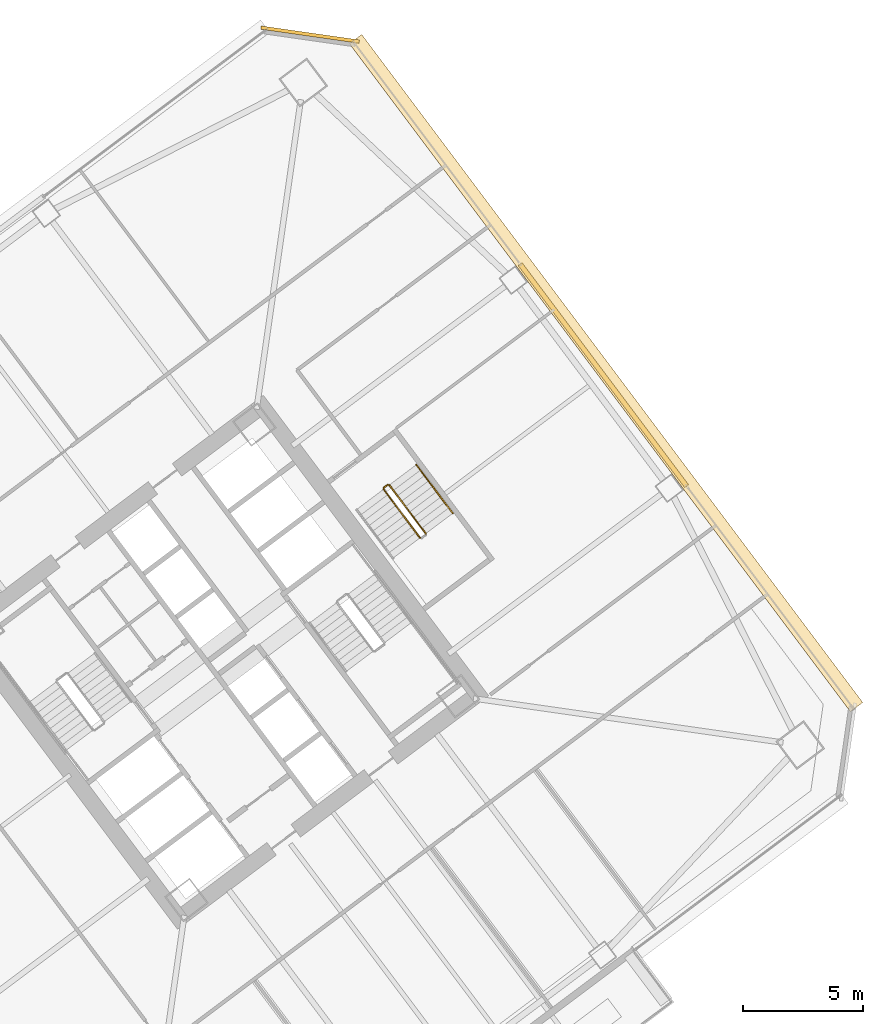
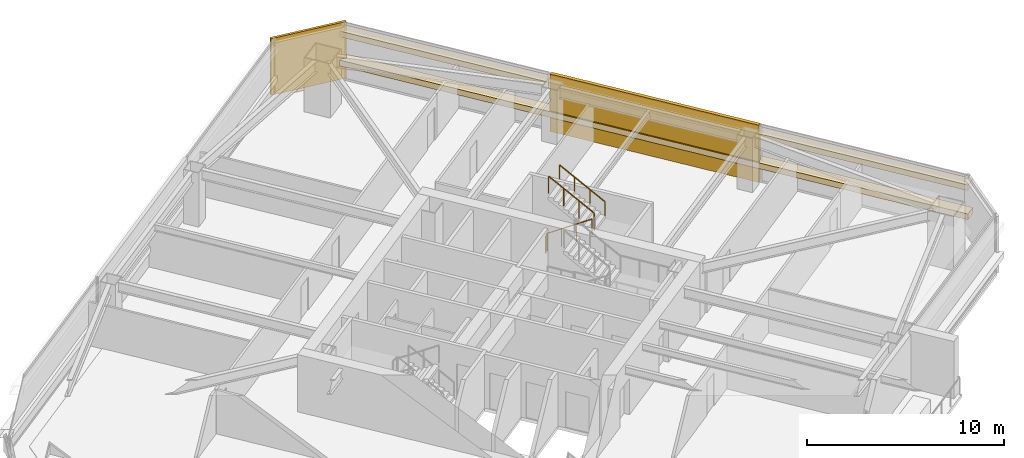
# One storey, part 44 of 44: 4 coverings, 4 railings.
"""IFC4 building model written with IfcOpenShell, lengths in metres."""

from ifc_helpers import new_model, si_unit, direction, frame, origin, origin_2d, place, context, subcontext, project, spatial, rectangle, extrude, material, layer, layer_set, type_object, element, save


model = new_model("IFC4")

# Units and contexts
model_context = context("Model", 3, precision=1e-05, world=origin(), true_north=direction((0.0, 1.0)))
body_context = subcontext(model_context, "Body", "Model", "MODEL_VIEW")
ifc_project = project(units=[si_unit("LENGTHUNIT", "METRE"), si_unit("AREAUNIT", "SQUARE_METRE"), si_unit("VOLUMEUNIT", "CUBIC_METRE"), si_unit("PLANEANGLEUNIT", "RADIAN"), si_unit("MASSUNIT", "GRAM", prefix="KILO")], contexts=[model_context])

# Site, building, storey
site_placement = place(None, origin())
site = spatial("IfcSite", under=ifc_project, at=site_placement, CompositionType="ELEMENT")
building_placement = place(site_placement, origin())
building = spatial("IfcBuilding", under=site, at=building_placement, Name="Tashvorn Skyway Center", CompositionType="ELEMENT")
storey_placement = place(building_placement, frame((0.0, 0.0, 102.699951171875)))
storey = spatial("IfcBuildingStorey", under=building, at=storey_placement, Name="L27", CompositionType="ELEMENT", Elevation=102.699951171875)

# Coverings
ifc_material_1 = material(Name="Precast concrete C40/50", Category="concrete")
ifc_layer_1 = layer(ifc_material_1, 0.199951171875)
ifc_layer_set_1 = layer_set([ifc_layer_1], Name="Precast concrete C40/50")
covering_type_1 = type_object("IfcCoveringType", Name="COV-BRACE-CLAD", PredefinedType="CLADDING", material=ifc_layer_set_1)
covering_1_placement = place(storey_placement, frame((129.904052734375, 43.927978515625, 0.0), z_axis=(0.0, 0.0, 1.0), x_axis=(0.600000004945, -0.799999996291, 0.0)))
element("IfcCovering", 1, at=covering_1_placement, inside=storey, type_object=covering_type_1, Name="Tower 2 L27 East Unitised Curtain Wall Mega-Brace Cladding Band 1", PredefinedType="CLADDING", context=body_context, shape_type="SweptSolid", body=[
    extrude(rectangle(XDim=11.52001953125, YDim=0.199951171875, at=origin_2d()), origin(), (0.0, 0.0, 1.0), 3.550048828125),
])
ifc_material_2 = material(Name="Perforated ceramic-coated bronze aluminium solar screen", Category="aluminium")
ifc_layer_2 = layer(ifc_material_2, 0.85009765625)
ifc_layer_set_2 = layer_set([ifc_layer_2], Name="Perforated ceramic-coated bronze aluminium solar screen")
covering_type_2 = type_object("IfcCoveringType", Name="COV-SOLAR-BAND", PredefinedType="CLADDING", material=ifc_layer_set_2)
for number, where, z_axis, x_axis, name in (
    (2, (130.01611328125, 44.011962890625, 0.919921875), (0.0, 0.0, 1.0), (0.600000004945, -0.799999996291, 0.0), "L27 Perforated Ceramic-Metal Solar Screen Louvre Band East 1"),
    (3, (130.01611328125, 44.011962890625, 2.72021484375), (0.0, 0.0, 1.0), (0.600000004945, -0.799999996291, 0.0), "L27 Perforated Ceramic-Metal Solar Screen Louvre Band East 2"),
):
    element("IfcCovering", number, at=place(storey_placement, frame(where, z_axis=z_axis, x_axis=x_axis)), inside=storey, type_object=covering_type_2, Name=name, PredefinedType="CLADDING", context=body_context, shape_type="SweptSolid", body=[
        extrude(rectangle(XDim=34.679931640625, YDim=0.639892578125, at=origin_2d()), origin(), (0.0, 0.0, 1.0), 0.360107421875),
    ])
ifc_layer_3 = layer(ifc_material_1, 0.35009765625)
ifc_layer_set_3 = layer_set([ifc_layer_3], Name="Precast concrete C40/50")
covering_type_3 = type_object("IfcCoveringType", Name="COV-STONE-TRIM", PredefinedType="CLADDING", material=ifc_layer_set_3)
covering_2_placement = place(storey_placement, frame((117.72412109375, 58.068115234375, 0.02001953125), z_axis=(0.0, 0.0, 1.0), x_axis=(0.989949494535, -0.141421350118, 0.0)))
element("IfcCovering", 4, at=covering_2_placement, inside=storey, type_object=covering_type_3, Name="Tower 2 L27 NE Mojave Limestone Corner Quoin", PredefinedType="CLADDING", context=body_context, shape_type="SweptSolid", body=[
    extrude(rectangle(XDim=4.119873046875, YDim=0.139892578125, at=origin_2d()), origin(), (0.0, 0.0, 1.0), 3.510009765625),
])

# Railings
ifc_material_3 = material(Name="Brushed stainless steel 316", Category="steel")
railing_type_1 = type_object("IfcRailingType", Name="RAIL-HAND-920", PredefinedType="HANDRAIL", material=ifc_material_3)
railing_1_placement = place(storey_placement, frame((123.64794921875, 38.18603515625, 1.95263671875)))
element("IfcRailing", 5, at=railing_1_placement, inside=storey, type_object=railing_type_1, Name="L27 ST-T2-3 stair handrail 2", PredefinedType="HANDRAIL", context=body_context, shape_type="SweptSolid", body=[
    extrude(rectangle(XDim=0.048095703125, YDim=0.048095703125, at=origin_2d()), frame((0.0, 0.0, 0.8759765625), z_axis=(-0.506768818287, 0.675664481285, 0.535409071218), x_axis=(-0.79998837352, -0.60001550166, 0.0)), (0.0, 0.0, 1.0), 2.983642578125),
    extrude(rectangle(XDim=0.0419921875, YDim=0.0419921875, at=origin_2d()), origin(), (0.0, 0.0, 1.0), 0.851806640625),
    extrude(rectangle(XDim=0.0419921875, YDim=0.0419921875, at=origin_2d()), frame((-0.50390625, 0.671875, 0.532470703125)), (0.0, 0.0, 1.0), 0.851806640625),
    extrude(rectangle(XDim=0.0419921875, YDim=0.0419921875, at=origin_2d()), frame((-1.008056640625, 1.343994140625, 1.06494140625)), (0.0, 0.0, 1.0), 0.851806640625),
    extrude(rectangle(XDim=0.0419921875, YDim=0.0419921875, at=origin_2d()), frame((-1.511962890625, 2.015869140625, 1.597412109375)), (0.0, 0.0, 1.0), 0.851806640625),
])
ifc_material_4 = material(Name="Painted galvanized steel S355", Category="steel")
railing_type_2 = type_object("IfcRailingType", Name="RAIL-STGUARD-1100", PredefinedType="GUARDRAIL", material=ifc_material_4)
railing_2_placement = place(storey_placement, frame((120.77587890625, 39.181884765625, 0.177490234375)))
element("IfcRailing", 6, at=railing_2_placement, inside=storey, type_object=railing_type_2, Name="L27 ST-T2-3 stair guard 1", PredefinedType="GUARDRAIL", context=body_context, shape_type="SweptSolid", body=[
    extrude(rectangle(XDim=0.048095703125, YDim=0.048095703125, at=origin_2d()), frame((0.0, 0.0, 1.076171875), z_axis=(0.506807425148, -0.675606863004, 0.535445235739), x_axis=(0.799941867976, 0.600077501544, 0.0)), (0.0, 0.0, 1.0), 2.98388671875),
    extrude(rectangle(XDim=0.0419921875, YDim=0.0419921875, at=origin_2d()), origin(), (0.0, 0.0, 1.0), 1.052001953125),
    extrude(rectangle(XDim=0.0419921875, YDim=0.0419921875, at=origin_2d()), frame((0.504150390625, -0.671875, 0.532470703125)), (0.0, 0.0, 1.0), 1.052001953125),
    extrude(rectangle(XDim=0.0419921875, YDim=0.0419921875, at=origin_2d()), frame((1.008056640625, -1.343994140625, 1.065185546875)), (0.0, 0.0, 1.0), 1.052001953125),
    extrude(rectangle(XDim=0.0419921875, YDim=0.0419921875, at=origin_2d()), frame((1.51220703125, -2.015869140625, 1.59765625)), (0.0, 0.0, 1.0), 1.052001953125),
])
railing_3_placement = place(storey_placement, frame((122.528076171875, 37.345947265625, 1.95263671875)))
element("IfcRailing", 7, at=railing_3_placement, inside=storey, type_object=railing_type_2, Name="L27 ST-T2-3 stair guard 3", PredefinedType="GUARDRAIL", context=body_context, shape_type="SweptSolid", body=[
    extrude(rectangle(XDim=0.048095703125, YDim=0.048095703125, at=origin_2d()), frame((0.0, 0.0, 1.076171875), z_axis=(-0.506740800098, 0.675708949977, 0.535379469569), x_axis=(-0.800023250257, -0.599968998406, 0.0)), (0.0, 0.0, 1.0), 2.983642578125),
    extrude(rectangle(XDim=0.0419921875, YDim=0.0419921875, at=origin_2d()), origin(), (0.0, 0.0, 1.0), 1.052001953125),
    extrude(rectangle(XDim=0.0419921875, YDim=0.0419921875, at=origin_2d()), frame((-0.50390625, 0.672119140625, 0.532470703125)), (0.0, 0.0, 1.0), 1.052001953125),
    extrude(rectangle(XDim=0.0419921875, YDim=0.0419921875, at=origin_2d()), frame((-1.008056640625, 1.343994140625, 1.06494140625)), (0.0, 0.0, 1.0), 1.052001953125),
    extrude(rectangle(XDim=0.0419921875, YDim=0.0419921875, at=origin_2d()), frame((-1.511962890625, 2.01611328125, 1.597412109375)), (0.0, 0.0, 1.0), 1.052001953125),
])
railing_4_placement = place(storey_placement, frame((120.785888671875, 39.251953125, 0.0)))
element("IfcRailing", 8, at=railing_4_placement, inside=storey, type_object=railing_type_2, Name="L27 ST-T2-3 stair guard 4", PredefinedType="GUARDRAIL", context=body_context, shape_type="SweptSolid", body=[
    extrude(rectangle(XDim=0.048095703125, YDim=0.048095703125, at=origin_2d()), frame((0.0, 0.0, 1.076171875), z_axis=(0.8, 0.6, 0.0), x_axis=(-0.6, 0.8, 0.0)), (0.0, 0.0, 1.0), 0.2001953125),
    extrude(rectangle(XDim=0.0419921875, YDim=0.0419921875, at=origin_2d()), origin(), (0.0, 0.0, 1.0), 1.052001953125),
    extrude(rectangle(XDim=0.0419921875, YDim=0.0419921875, at=origin_2d()), frame((0.16015625, 0.1201171875, 0.0)), (0.0, 0.0, 1.0), 1.052001953125),
])

save(model, "model.ifc")
